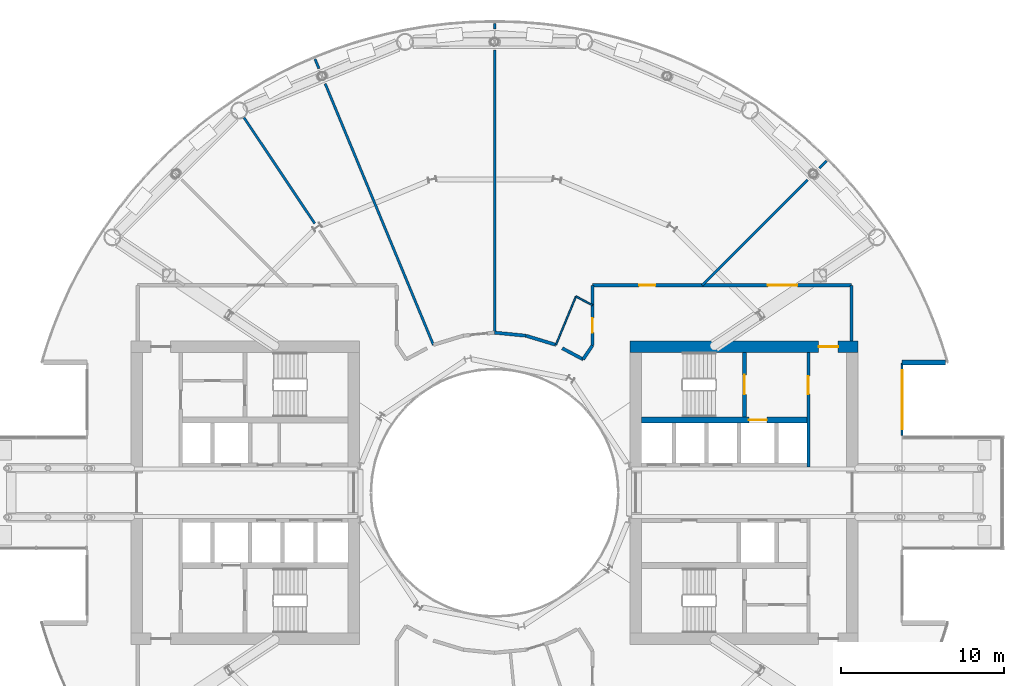
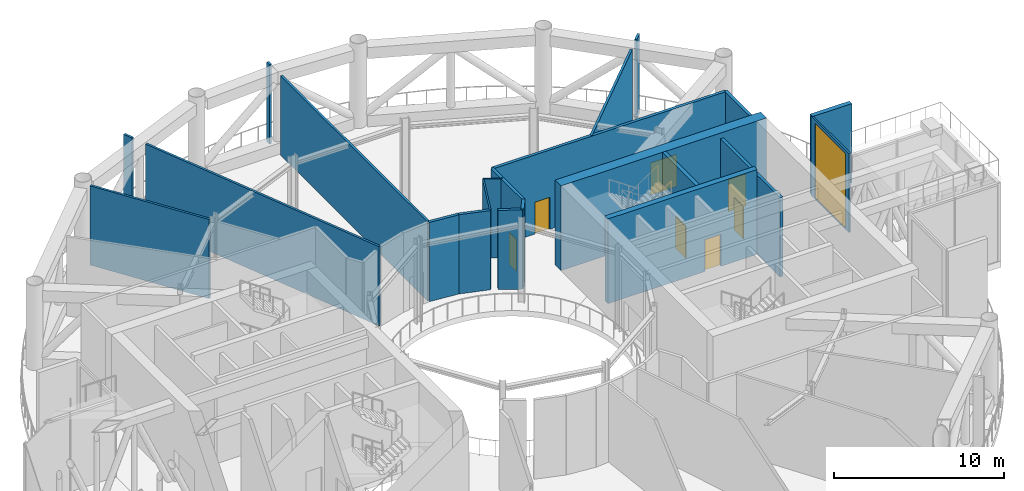
# One storey, part 14 of 23: 22 walls, 7 doors, 1 window, 8 openings.
"""IFC4 building model written with IfcOpenShell, lengths in metres."""

import ifcopenshell
import ifcopenshell.guid

model = None  # the IFC model being written
_history = None  # IfcOwnerHistory: only IFC2X3 demands one
_inside = {}  # id of a spatial element -> (the spatial element, [elements in it])
_under = {}  # id of a project, library or spatial element -> (it, [spatial elements below it])
_declared = {}  # id of a project -> (the project, [libraries it declares])
_typed = {}  # id of a type object -> (the type object, [elements of that type])
_made_of = {}  # id of a material, layer set ... -> (it, [elements and type objects made of it])


def new_model(schema):
    """Start an empty IFC model of exactly this schema.

    Asked for "IFC4X3", IfcOpenShell would pick the latest addendum, in which some entities
    have other attributes; the version numbers below select the first issue.
    IFC2X3 requires an IfcOwnerHistory on every rooted entity: one is made here for all.
    """
    global model, _history
    if schema == "IFC4X3":
        model = ifcopenshell.file(schema_version=(4, 3, 0, 0))
    else:
        model = ifcopenshell.file(schema=schema)
    _inside.clear()
    _under.clear()
    _declared.clear()
    _typed.clear()
    _made_of.clear()
    _history = None
    if model.schema == "IFC2X3":
        org = make("IfcOrganization", Name="unknown")
        user = make(
            "IfcPersonAndOrganization",
            ThePerson=make("IfcPerson", FamilyName="unknown"),
            TheOrganization=org,
        )
        app = make(
            "IfcApplication",
            ApplicationDeveloper=org,
            Version="unknown",
            ApplicationFullName="unknown",
            ApplicationIdentifier="unknown",
        )
        _history = make(
            "IfcOwnerHistory",
            OwningUser=user,
            OwningApplication=app,
            ChangeAction="ADDED",
            CreationDate=0,
        )
    return model


def make(cls, **values):
    """One entity of the class cls with the attributes given. An attribute that is None is left unset."""
    return model.create_entity(
        cls, **{name: value for name, value in values.items() if value is not None}
    )


def rooted(cls, **values):
    """An entity with a GlobalId (a new one), such as an element, a storey or a relation."""
    return make(cls, GlobalId=ifcopenshell.guid.new(), OwnerHistory=_history, **values)


def si_unit(unit_type, name, prefix=None):
    """IfcSIUnit, for example si_unit("LENGTHUNIT", "METRE", prefix="MILLI")."""
    return make("IfcSIUnit", UnitType=unit_type, Prefix=prefix, Name=name)


def assignment(units):
    """IfcUnitAssignment: the units of a project."""
    return None if units is None else make("IfcUnitAssignment", Units=units)


def point(xyz):
    """IfcCartesianPoint."""
    return None if xyz is None else make("IfcCartesianPoint", Coordinates=xyz)


def direction(xyz):
    """IfcDirection."""
    return None if xyz is None else make("IfcDirection", DirectionRatios=xyz)


def frame(location, z_axis=None, x_axis=None):
    """IfcAxis2Placement3D, a coordinate frame: its origin and axes. An axis left out is left unset."""
    return make(
        "IfcAxis2Placement3D",
        Location=point(location),
        Axis=direction(z_axis),
        RefDirection=direction(x_axis),
    )


def frame_2d(location, x_axis=None):
    """IfcAxis2Placement2D, a coordinate frame in the plane: its origin and x axis."""
    return make(
        "IfcAxis2Placement2D", Location=point(location), RefDirection=direction(x_axis)
    )


def origin():
    """The frame at (0, 0, 0) with its axes left unset."""
    return frame((0.0, 0.0, 0.0))


def place(relative_to, where):
    """IfcLocalPlacement: puts the frame where relative to a parent placement (None: the world)."""
    return make(
        "IfcLocalPlacement", PlacementRelTo=relative_to, RelativePlacement=where
    )


def context(
    kind, dimensions, precision=None, world=None, true_north=None, identifier=None
):
    """IfcGeometricRepresentationContext, for example the 3D "Model" context."""
    return make(
        "IfcGeometricRepresentationContext",
        ContextIdentifier=identifier,
        ContextType=kind,
        CoordinateSpaceDimension=dimensions,
        Precision=precision,
        WorldCoordinateSystem=world,
        TrueNorth=true_north,
    )


def subcontext(parent, identifier, kind, view, scale=None):
    """IfcGeometricRepresentationSubContext, for example "Body" below "Model"."""
    return make(
        "IfcGeometricRepresentationSubContext",
        ContextIdentifier=identifier,
        ContextType=kind,
        ParentContext=parent,
        TargetScale=scale,
        TargetView=view,
    )


def project(units=None, contexts=None):
    """IfcProject with its units and contexts."""
    return rooted(
        "IfcProject",
        Name="project",
        RepresentationContexts=contexts,
        UnitsInContext=assignment(units),
    )


def spatial(cls, under=None, at=None, **own):
    """A site, building, storey or space (cls), placed at a placement, below another one or the project."""
    s = rooted(cls, ObjectPlacement=at, **own)
    if under is not None:
        _under.setdefault(under.id(), (under, []))[1].append(s)
    return s


def profile(cls, at=None, kind="AREA", **sizes):
    """A parametric profile (cls). Its sizes go by their IFC names, for example OverallWidth=200.0."""
    return make(cls, ProfileType=kind, Position=at, **sizes)


def rectangle(**sizes):
    """IfcRectangleProfileDef."""
    return profile("IfcRectangleProfileDef", **sizes)


def extrude(swept, where, along, depth):
    """IfcExtrudedAreaSolid: the profile swept, set in the frame where, extruded along a direction by depth."""
    return make(
        "IfcExtrudedAreaSolid",
        SweptArea=swept,
        Position=where,
        ExtrudedDirection=direction(along),
        Depth=depth,
    )


def shape(context_of_items, identifier, shape_type, items):
    """IfcShapeRepresentation: the items that make up one representation, for example the "Body"."""
    return make(
        "IfcShapeRepresentation",
        ContextOfItems=context_of_items,
        RepresentationIdentifier=identifier,
        RepresentationType=shape_type,
        Items=items,
    )


def material(Name=None, Category=None):
    """IfcMaterial."""
    return make("IfcMaterial", Name=Name, Category=Category)


def layer(
    of_material, thickness, ventilated=None, Name=None, Category=None, Priority=None
):
    """IfcMaterialLayer: one layer of a wall or slab, of a material (None: an air gap)."""
    return make(
        "IfcMaterialLayer",
        Material=of_material,
        LayerThickness=thickness,
        IsVentilated=ventilated,
        Name=Name,
        Category=Category,
        Priority=Priority,
    )


def layer_set(layers, Name=None):
    """IfcMaterialLayerSet."""
    return make("IfcMaterialLayerSet", MaterialLayers=layers, LayerSetName=Name)


def made_of(thing, what):
    """Note that an element or type object is made of a material, layer set ...; save() writes the relation."""
    if what is not None:
        _made_of.setdefault(what.id(), (what, []))[1].append(thing)
    return thing


def type_object(cls, material=None, **own):
    """A type object (cls), such as IfcWallType, which elements share."""
    return made_of(rooted(cls, **own), material)


def element(
    cls,
    number,
    at=None,
    inside=None,
    cuts=None,
    type_object=None,
    material=None,
    context=None,
    identifier="Body",
    shape_type=None,
    held_by="IfcProductDefinitionShape",
    body=None,
    shapes=None,
    **own,
):
    """One element of the class cls, such as IfcWall. Its Tag is "e" and its number.

    at: its placement. inside: the storey or other place that contains it. cuts: it is an
    opening in that element (IfcRelVoidsElement). A single representation is given by context,
    identifier, shape_type and body (its items); several are given by shapes. held_by: the class
    of the entity that holds the representations. save() writes the other relations.
    """
    e = rooted(cls, Tag="e%d" % number, ObjectPlacement=at, **own)
    if body is not None:
        shapes = [shape(context, identifier, shape_type, body)]
    if shapes is not None:
        e.Representation = make(held_by, Representations=shapes)
    if inside is not None:
        _inside.setdefault(inside.id(), (inside, []))[1].append(e)
    if cuts is not None:
        rooted(
            "IfcRelVoidsElement", RelatingBuildingElement=cuts, RelatedOpeningElement=e
        )
    if type_object is not None:
        _typed.setdefault(type_object.id(), (type_object, []))[1].append(e)
    return made_of(e, material)


def fill(opening, filler):
    """IfcRelFillsElement: the door or window that sits in an opening."""
    return rooted(
        "IfcRelFillsElement",
        RelatingOpeningElement=opening,
        RelatedBuildingElement=filler,
    )


def aggregate(whole, parts):
    """IfcRelAggregates: a whole, such as a stair, and the parts it consists of."""
    return rooted("IfcRelAggregates", RelatingObject=whole, RelatedObjects=parts)


def save(model, path):
    """Write the relations noted so far, then the file.

    IfcRelAggregates (storeys below a building ...), IfcRelContainedInSpatialStructure (elements
    in a storey), IfcRelDefinesByType, IfcRelAssociatesMaterial and IfcRelDeclares: one each for
    every whole, place, type object, material and project.
    """
    for whole, parts in _under.values():
        aggregate(whole, parts)
    for where, things in _inside.values():
        rooted(
            "IfcRelContainedInSpatialStructure",
            RelatedElements=things,
            RelatingStructure=where,
        )
    for kind, things in _typed.values():
        rooted("IfcRelDefinesByType", RelatedObjects=things, RelatingType=kind)
    for what, things in _made_of.values():
        rooted("IfcRelAssociatesMaterial", RelatedObjects=things, RelatingMaterial=what)
    for by, libraries in _declared.values():
        rooted("IfcRelDeclares", RelatingContext=by, RelatedDefinitions=libraries)
    model.write(path)


model = new_model("IFC4")

# Units and contexts
model_context = context("Model", 3, precision=1e-05, world=origin(), true_north=direction((0.0, 1.0)))
body_context = subcontext(model_context, "Body", "Model", "MODEL_VIEW")
ifc_project = project(units=[si_unit("LENGTHUNIT", "METRE"), si_unit("AREAUNIT", "SQUARE_METRE"), si_unit("VOLUMEUNIT", "CUBIC_METRE"), si_unit("PLANEANGLEUNIT", "RADIAN"), si_unit("MASSUNIT", "GRAM", prefix="KILO")], contexts=[model_context])

# Site, building, storey
site_placement = place(None, origin())
site = spatial("IfcSite", under=ifc_project, at=site_placement, CompositionType="ELEMENT")
building_placement = place(site_placement, origin())
building = spatial("IfcBuilding", under=site, at=building_placement, Name="Maasbend Ring Residences", CompositionType="ELEMENT")
storey_placement = place(building_placement, frame((0.0, 0.0, 97.14990234375)))
storey = spatial("IfcBuildingStorey", under=building, at=storey_placement, Name="L28", CompositionType="ELEMENT", Elevation=97.14990234375)

# Wall, opening, door
ifc_material_1 = material(Name="Concrete C70/85", Category="concrete")
ifc_layer_1 = layer(ifc_material_1, 0.25)
ifc_layer_set_1 = layer_set([ifc_layer_1], Name="Concrete C70/85")
wall_type_1 = type_object("IfcWallType", Name="CORE WALL 250 C70/85", PredefinedType="SHEAR", material=ifc_layer_set_1)
wall_1_placement = place(storey_placement, frame((15.324951171875, 4.64990234375, 0.0), z_axis=(0.0, 0.0, 1.0), x_axis=(0.0, 1.0, 0.0)))
wall_1 = element("IfcWall", 1, at=wall_1_placement, inside=storey, type_object=wall_type_1, Name="L28 core E wall STEN", PredefinedType="SHEAR", context=body_context, shape_type="SweptSolid", body=[
    extrude(rectangle(XDim=3.9501953125, YDim=0.25, at=frame_2d((1.97509765625, 0.0))), origin(), (0.0, 0.0, 1.0), 6.10009765625),
])
opening_1_placement = place(wall_1_placement, frame((1.375, 0.0, 0.0)))
opening_1 = element("IfcOpeningElement", 2, at=opening_1_placement, cuts=wall_1, Name="Opening D-E2809", PredefinedType="OPENING", context=body_context, shape_type="SweptSolid", body=[
    extrude(rectangle(XDim=1.199951171875, YDim=2.300048828125, at=frame_2d((0.60009765625, 1.14990234375))), frame((0.0, 0.135009765625, 0.0), z_axis=(0.0, -1.0, 0.0), x_axis=(1.0, 0.0, 0.0)), (0.0, 0.0, 1.0), 0.27001953125),
])
ifc_material_2 = material(Name="Steel, powder coated", Category="steel")
door_type_1 = type_object("IfcDoorType", Name="STAIR DOOR 1200 X 2300 FD60", OperationType="NOTDEFINED", PredefinedType="DOOR", material=ifc_material_2)
door_1_placement = place(opening_1_placement, origin())
door_1 = element("IfcDoor", 3, at=door_1_placement, inside=storey, type_object=door_type_1, Name="Stair door ST-E L28", OperationType="SINGLE_SWING_LEFT", OverallHeight=2.300048828125, OverallWidth=1.199951171875, PredefinedType="DOOR", context=body_context, shape_type="SweptSolid", body=[
    extrude(rectangle(XDim=1.199951171875, YDim=2.300048828125, at=frame_2d((0.60009765625, 1.14990234375))), frame((0.0, 0.02490234375, 0.0), z_axis=(0.0, -1.0, 0.0), x_axis=(1.0, 0.0, 0.0)), (0.0, 0.0, 1.0), 0.050048828125),
])
fill(opening_1, door_1)

ifc_material_3 = material(Name="Concrete C70/85", Category="concrete")
ifc_layer_2 = layer(ifc_material_3, 0.375)
ifc_layer_set_2 = layer_set([ifc_layer_2], Name="Concrete C70/85")
wall_type_2 = type_object("IfcWallType", Name="CORE WALL 375 C70/85", PredefinedType="SHEAR", material=ifc_layer_set_2)
wall_2_placement = place(storey_placement, frame((9.0, 4.46240234375, 0.0), z_axis=(0.0, 0.0, 1.0), x_axis=(1.0, 0.0, 0.0)))
wall_2 = element("IfcWall", 4, at=wall_2_placement, inside=storey, type_object=wall_type_2, Name="L28 core E wall BN", PredefinedType="SHEAR", context=body_context, shape_type="SweptSolid", body=[
    extrude(rectangle(XDim=10.14990234375, YDim=0.375, at=frame_2d((5.074951171875, 0.0))), origin(), (0.0, 0.0, 1.0), 6.10009765625),
])
opening_2_placement = place(wall_2_placement, frame((6.60009765625, 0.0, 0.0)))
opening_2 = element("IfcOpeningElement", 5, at=opening_2_placement, cuts=wall_2, Name="Opening LD-E2804", PredefinedType="OPENING", context=body_context, shape_type="SweptSolid", body=[
    extrude(rectangle(XDim=1.10009765625, YDim=2.300048828125, at=frame_2d((0.550048828125, 1.14990234375))), frame((0.0, 0.197509765625, 0.0), z_axis=(0.0, -1.0, 0.0), x_axis=(1.0, 0.0, 0.0)), (0.0, 0.0, 1.0), 0.39501953125),
])
ifc_material_4 = material(Name="Stainless steel 316", Category="steel")
door_type_2 = type_object("IfcDoorType", Name="LANDING DOOR 1100 X 2300 FD60", OperationType="DOUBLE_DOOR_SLIDING", PredefinedType="DOOR", material=ifc_material_4)
door_2_placement = place(opening_2_placement, origin())
door_2 = element("IfcDoor", 6, at=door_2_placement, inside=storey, type_object=door_type_2, Name="Landing door FF-E L28", OperationType="DOUBLE_DOOR_SLIDING", OverallHeight=2.300048828125, OverallWidth=1.10009765625, PredefinedType="DOOR", context=body_context, shape_type="SweptSolid", body=[
    extrude(rectangle(XDim=1.10009765625, YDim=2.300048828125, at=frame_2d((0.550048828125, 1.14990234375))), frame((0.0, 0.02490234375, 0.0), z_axis=(0.0, -1.0, 0.0), x_axis=(1.0, 0.0, 0.0)), (0.0, 0.0, 1.0), 0.050048828125),
])
fill(opening_2, door_2)

ifc_material_5 = material(Name="Concrete C70/85", Category="concrete")
ifc_layer_3 = layer(ifc_material_5, 0.699951171875)
ifc_layer_set_3 = layer_set([ifc_layer_3], Name="Concrete C70/85")
wall_type_3 = type_object("IfcWallType", Name="CORE WALL 700 C70/85", PredefinedType="SHEAR", material=ifc_layer_set_3)
wall_3_placement = place(storey_placement, frame((22.300048828125, 8.949951171875, 0.0), z_axis=(0.0, 0.0, 1.0), x_axis=(-1.0, 0.0, 0.0)))
wall_3 = element("IfcWall", 7, at=wall_3_placement, inside=storey, type_object=wall_type_3, Name="L28 core E wall PN", PredefinedType="SHEAR", context=body_context, shape_type="SweptSolid", body=[
    extrude(rectangle(XDim=14.0, YDim=0.699951171875, at=frame_2d((7.0, 0.0))), origin(), (0.0, 0.0, 1.0), 6.10009765625),
])
opening_3_placement = place(wall_3_placement, frame((1.22509765625, 0.0, 0.0)))
opening_3 = element("IfcOpeningElement", 8, at=opening_3_placement, cuts=wall_3, Name="Opening D-E2813", PredefinedType="OPENING", context=body_context, shape_type="SweptSolid", body=[
    extrude(rectangle(XDim=1.199951171875, YDim=2.300048828125, at=frame_2d((0.60009765625, 1.14990234375))), frame((0.0, 0.35986328125, 0.0), z_axis=(0.0, -1.0, 0.0), x_axis=(1.0, 0.0, 0.0)), (0.0, 0.0, 1.0), 0.719970703125),
])
ifc_material_6 = material(Name="Steel, powder coated", Category="steel")
door_type_3 = type_object("IfcDoorType", Name="CORRIDOR DOOR 1200 X 2300 FD30S", OperationType="NOTDEFINED", PredefinedType="DOOR", material=ifc_material_6)
door_3_placement = place(opening_3_placement, origin())
door_3 = element("IfcDoor", 9, at=door_3_placement, inside=storey, type_object=door_type_3, Name="Corridor door L28", OperationType="SINGLE_SWING_RIGHT", OverallHeight=2.300048828125, OverallWidth=1.199951171875, PredefinedType="DOOR", context=body_context, shape_type="SweptSolid", body=[
    extrude(rectangle(XDim=1.199951171875, YDim=2.300048828125, at=frame_2d((0.60009765625, 1.14990234375))), frame((0.0, 0.02490234375, 0.0), z_axis=(0.0, -1.0, 0.0), x_axis=(1.0, 0.0, 0.0)), (0.0, 0.0, 1.0), 0.050048828125),
])
fill(opening_3, door_3)

# Wall
ifc_material_7 = material(Name="Concrete C30/37", Category="concrete")
ifc_layer_4 = layer(ifc_material_7, 0.199951171875)
ifc_layer_set_4 = layer_set([ifc_layer_4], Name="Concrete C30/37")
wall_type_4 = type_object("IfcWallType", Name="CORRIDOR WALL 200 CONCRETE", PredefinedType="PARTITIONING", material=ifc_layer_set_4)
wall_4_placement = place(storey_placement, frame((21.89990234375, 9.320068359375, 0.0), z_axis=(0.0, 0.0, 1.0), x_axis=(0.0, 1.0, 0.0)))
element("IfcWall", 10, at=wall_4_placement, inside=storey, type_object=wall_type_4, Name="U-L28-w002", PredefinedType="PARTITIONING", context=body_context, shape_type="SweptSolid", body=[
    extrude(rectangle(XDim=3.39990234375, YDim=0.199951171875, at=frame_2d((1.699951171875, 0.0))), origin(), (0.0, 0.0, 1.0), 5.7001953125),
])

# Wall, opening, door
wall_5_placement = place(storey_placement, frame((6.0, 9.033935546875, 0.0), z_axis=(0.0, 0.0, 1.0), x_axis=(0.0, 1.0, 0.0)))
wall_5 = element("IfcWall", 11, at=wall_5_placement, inside=storey, type_object=wall_type_4, Name="U-L28-w012", PredefinedType="PARTITIONING", context=body_context, shape_type="SweptSolid", body=[
    extrude(rectangle(XDim=3.68603515625, YDim=0.199951171875, at=frame_2d((1.843017578125, 0.0))), origin(), (0.0, 0.0, 1.0), 5.7001953125),
])
opening_4_placement = place(wall_5_placement, frame((0.783935546875, 0.0, 0.0)))
opening_4 = element("IfcOpeningElement", 12, at=opening_4_placement, cuts=wall_5, Name="Opening D-2801", PredefinedType="OPENING", context=body_context, shape_type="SweptSolid", body=[
    extrude(rectangle(XDim=0.89990234375, YDim=2.300048828125, at=frame_2d((0.449951171875, 1.14990234375))), frame((0.0, 0.10986328125, 0.0), z_axis=(0.0, -1.0, 0.0), x_axis=(1.0, 0.0, 0.0)), (0.0, 0.0, 1.0), 0.219970703125),
])
ifc_material_8 = material(Name="Timber, painted", Category="wood")
door_type_4 = type_object("IfcDoorType", Name="INTERNAL DOOR 900 X 2300", OperationType="NOTDEFINED", PredefinedType="DOOR", material=ifc_material_8)
door_4_placement = place(opening_4_placement, origin())
door_4 = element("IfcDoor", 13, at=door_4_placement, inside=storey, type_object=door_type_4, Name="D-2801", OperationType="SINGLE_SWING_LEFT", OverallHeight=2.300048828125, OverallWidth=0.89990234375, PredefinedType="DOOR", context=body_context, shape_type="SweptSolid", body=[
    extrude(rectangle(XDim=0.89990234375, YDim=2.300048828125, at=frame_2d((0.449951171875, 1.14990234375))), frame((0.0, 0.02490234375, 0.0), z_axis=(0.0, -1.0, 0.0), x_axis=(1.0, 0.0, 0.0)), (0.0, 0.0, 1.0), 0.050048828125),
])
fill(opening_4, door_4)

# Walls
wall_6_placement = place(storey_placement, frame((5.428955078125, 8.178955078125, 0.0), z_axis=(0.0, 0.0, 1.0), x_axis=(0.555412364489, 0.831575075007, 0.0)))
element("IfcWall", 14, at=wall_6_placement, inside=storey, type_object=wall_type_4, Name="U-L28-w034", PredefinedType="PARTITIONING", context=body_context, shape_type="SweptSolid", body=[
    extrude(rectangle(XDim=1.028076171875, YDim=0.199951171875, at=frame_2d((0.51416015625, 0.0))), origin(), (0.0, 0.0, 1.0), 5.7001953125),
])
wall_7_placement = place(storey_placement, frame((0.0, 9.820068359375, 0.0), z_axis=(0.0, 0.0, 1.0), x_axis=(0.995171860647, -0.098147683504, 0.0)))
element("IfcWall", 15, at=wall_7_placement, inside=storey, type_object=wall_type_4, Name="U-L28-w040", PredefinedType="PARTITIONING", context=body_context, shape_type="SweptSolid", body=[
    extrude(rectangle(XDim=1.92529296875, YDim=0.199951171875, at=frame_2d((0.962646484375, 0.0))), origin(), (0.0, 0.0, 1.0), 5.7001953125),
])
wall_8_placement = place(storey_placement, frame((1.916015625, 9.631103515625, 0.0), z_axis=(0.0, 0.0, 1.0), x_axis=(0.956896312675, -0.29042976223, 0.0)))
element("IfcWall", 16, at=wall_8_placement, inside=storey, type_object=wall_type_4, Name="U-L28-w041", PredefinedType="PARTITIONING", context=body_context, shape_type="SweptSolid", body=[
    extrude(rectangle(XDim=1.925048828125, YDim=0.199951171875, at=frame_2d((0.96240234375, 0.0))), origin(), (0.0, 0.0, 1.0), 5.7001953125),
])
wall_9_placement = place(storey_placement, frame((4.15087890625, 8.863037109375, 0.0), z_axis=(0.0, 0.0, 1.0), x_axis=(0.881652665802, -0.471898905364, 0.0)))
element("IfcWall", 17, at=wall_9_placement, inside=storey, type_object=wall_type_4, Name="U-L28-w042", PredefinedType="PARTITIONING", context=body_context, shape_type="SweptSolid", body=[
    extrude(rectangle(XDim=1.44970703125, YDim=0.199951171875, at=frame_2d((0.724853515625, 0.0))), origin(), (0.0, 0.0, 1.0), 5.7001953125),
])

# Wall, openings, doors
wall_10_placement = place(storey_placement, frame((6.0, 12.719970703125, 0.0), z_axis=(0.0, 0.0, 1.0), x_axis=(1.0, 0.0, 0.0)))
wall_10 = element("IfcWall", 18, at=wall_10_placement, inside=storey, type_object=wall_type_4, Name="U-L28-w044", PredefinedType="PARTITIONING", context=body_context, shape_type="SweptSolid", body=[
    extrude(rectangle(XDim=15.89990234375, YDim=0.199951171875, at=frame_2d((7.949951171875, 0.0))), origin(), (0.0, 0.0, 1.0), 5.7001953125),
])
opening_5_placement = place(wall_10_placement, frame((2.860107421875, 0.0, 0.0)))
opening_5 = element("IfcOpeningElement", 19, at=opening_5_placement, cuts=wall_10, Name="Opening D-2802", PredefinedType="OPENING", context=body_context, shape_type="SweptSolid", body=[
    extrude(rectangle(XDim=1.0, YDim=2.300048828125, at=frame_2d((0.5, 1.14990234375))), frame((0.0, 0.10986328125, 0.0), z_axis=(0.0, -1.0, 0.0), x_axis=(1.0, 0.0, 0.0)), (0.0, 0.0, 1.0), 0.219970703125),
])
opening_6_placement = place(wall_10_placement, frame((10.77001953125, 0.0, 0.0)))
opening_6 = element("IfcOpeningElement", 20, at=opening_6_placement, cuts=wall_10, Name="Opening D-2810", PredefinedType="OPENING", context=body_context, shape_type="SweptSolid", body=[
    extrude(rectangle(XDim=1.800048828125, YDim=2.300048828125, at=frame_2d((0.89990234375, 1.14990234375))), frame((0.0, 0.10986328125, 0.0), z_axis=(0.0, -1.0, 0.0), x_axis=(1.0, 0.0, 0.0)), (0.0, 0.0, 1.0), 0.219970703125),
])
ifc_material_9 = material(Name="Timber, painted", Category="wood")
door_type_5 = type_object("IfcDoorType", Name="DOUBLE DOOR 1800 X 2300", OperationType="NOTDEFINED", PredefinedType="DOOR", material=ifc_material_9)
door_5_placement = place(opening_6_placement, origin())
door_5 = element("IfcDoor", 21, at=door_5_placement, inside=storey, type_object=door_type_5, Name="D-2810", OperationType="DOUBLE_DOOR_SINGLE_SWING", OverallHeight=2.300048828125, OverallWidth=1.800048828125, PredefinedType="DOOR", context=body_context, shape_type="SweptSolid", body=[
    extrude(rectangle(XDim=1.800048828125, YDim=2.300048828125, at=frame_2d((0.89990234375, 1.14990234375))), frame((0.0, 0.02490234375, 0.0), z_axis=(0.0, -1.0, 0.0), x_axis=(1.0, 0.0, 0.0)), (0.0, 0.0, 1.0), 0.050048828125),
])
fill(opening_6, door_5)
ifc_material_10 = material(Name="Timber, painted", Category="wood")
door_type_6 = type_object("IfcDoorType", Name="ROOM DOOR 1000 X 2300", OperationType="NOTDEFINED", PredefinedType="DOOR", material=ifc_material_10)
door_6_placement = place(opening_5_placement, origin())
door_6 = element("IfcDoor", 22, at=door_6_placement, inside=storey, type_object=door_type_6, Name="D-2802", OperationType="SINGLE_SWING_LEFT", OverallHeight=2.300048828125, OverallWidth=1.0, PredefinedType="DOOR", context=body_context, shape_type="SweptSolid", body=[
    extrude(rectangle(XDim=1.0, YDim=2.300048828125, at=frame_2d((0.5, 1.14990234375))), frame((0.0, 0.02490234375, 0.0), z_axis=(0.0, -1.0, 0.0), x_axis=(1.0, 0.0, 0.0)), (0.0, 0.0, 1.0), 0.050048828125),
])
fill(opening_5, door_6)

# Wall
ifc_material_11 = material(Name="Aluminium clad insulated panel", Category="aluminium")
ifc_layer_5 = layer(ifc_material_11, 0.300048828125)
ifc_layer_set_5 = layer_set([ifc_layer_5], Name="EW-RET")
wall_type_5 = type_object("IfcWallType", Name="EW-RET", PredefinedType="SOLIDWALL", material=ifc_layer_set_5)
wall_11_placement = place(storey_placement, frame((25.0, 8.0, 0.0), z_axis=(0.0, 0.0, 1.0), x_axis=(1.0, 0.0, 0.0)))
element("IfcWall", 23, at=wall_11_placement, inside=storey, type_object=wall_type_5, Name="Notch return wall east north", PredefinedType="SOLIDWALL", context=body_context, shape_type="SweptSolid", body=[
    extrude(rectangle(XDim=2.6669921875, YDim=0.300048828125, at=frame_2d((1.33349609375, 0.0))), origin(), (0.0, 0.0, 1.0), 5.7001953125),
])

# Wall, opening, window
ifc_material_12 = material(Name="Aluminium frame and clear glass", Category="aluminium")
ifc_layer_6 = layer(ifc_material_12, 0.1201171875)
ifc_layer_set_6 = layer_set([ifc_layer_6], Name="GLAZED SCREEN WALL 120 EI 60")
wall_type_6 = type_object("IfcWallType", Name="GLAZED SCREEN WALL 120 EI 60", PredefinedType="PARTITIONING", material=ifc_layer_set_6)
wall_12_placement = place(storey_placement, frame((25.0, 3.5, 0.0), z_axis=(0.0, 0.0, 1.0), x_axis=(0.0, 1.0, 0.0)))
wall_12 = element("IfcWall", 24, at=wall_12_placement, inside=storey, type_object=wall_type_6, Name="L28 core E wall FACEB", PredefinedType="PARTITIONING", context=body_context, shape_type="SweptSolid", body=[
    extrude(rectangle(XDim=4.449951171875, YDim=0.1201171875, at=frame_2d((2.22509765625, 0.0))), origin(), (0.0, 0.0, 1.0), 5.7001953125),
])
opening_7_placement = place(wall_12_placement, frame((0.39990234375, 0.0, 0.10009765625)))
opening_7 = element("IfcOpeningElement", 25, at=opening_7_placement, cuts=wall_12, Name="Opening W-E2803", PredefinedType="OPENING", context=body_context, shape_type="SweptSolid", body=[
    extrude(rectangle(XDim=3.60009765625, YDim=5.35009765625, at=frame_2d((1.800048828125, 2.675048828125))), frame((0.0, 0.070068359375, 0.0), z_axis=(0.0, -1.0, 0.0), x_axis=(1.0, 0.0, 0.0)), (0.0, 0.0, 1.0), 0.14013671875),
])
ifc_material_13 = material(Name="Aluminium frame and clear glass", Category="aluminium")
window_type = type_object("IfcWindowType", Name="FIXED WINDOW 3600 X 5350", PartitioningType="SINGLE_PANEL", PredefinedType="WINDOW", material=ifc_material_13)
window_placement = place(opening_7_placement, origin())
window = element("IfcWindow", 26, at=window_placement, inside=storey, type_object=window_type, Name="Lobby window L28", OverallHeight=5.35009765625, OverallWidth=3.60009765625, PartitioningType="SINGLE_PANEL", PredefinedType="WINDOW", context=body_context, shape_type="SweptSolid", body=[
    extrude(rectangle(XDim=3.60009765625, YDim=5.35009765625, at=frame_2d((1.800048828125, 2.675048828125))), frame((0.0, 0.030029296875, 0.0), z_axis=(0.0, -1.0, 0.0), x_axis=(1.0, 0.0, 0.0)), (0.0, 0.0, 1.0), 0.06005859375),
])
fill(opening_7, window)

# Walls
ifc_material_14 = material(Name="Gypsum board on steel studs", Category="steel")
ifc_layer_7 = layer(ifc_material_14, 0.10009765625)
ifc_layer_set_7 = layer_set([ifc_layer_7], Name="PARTITION 100 GYPSUM")
wall_type_7 = type_object("IfcWallType", Name="PARTITION 100 GYPSUM", PredefinedType="PARTITIONING", material=ifc_layer_set_7)
wall_13_placement = place(storey_placement, frame((3.758056640625, 9.072021484375, 0.0), z_axis=(0.0, 0.0, 1.0), x_axis=(0.382517205945, 0.923948368231, 0.0)))
element("IfcWall", 27, at=wall_13_placement, inside=storey, type_object=wall_type_7, Name="U-L28-w027", PredefinedType="PARTITIONING", context=body_context, shape_type="SweptSolid", body=[
    extrude(rectangle(XDim=3.215576171875, YDim=0.10009765625, at=frame_2d((1.60791015625, 0.0))), origin(), (0.0, 0.0, 1.0), 5.7001953125),
])
wall_14_placement = place(storey_placement, frame((4.988037109375, 12.04296875, 0.0), z_axis=(0.0, 0.0, 1.0), x_axis=(0.882235076446, -0.470809165042, 0.0)))
element("IfcWall", 28, at=wall_14_placement, inside=storey, type_object=wall_type_7, Name="U-L28-w045", PredefinedType="PARTITIONING", context=body_context, shape_type="SweptSolid", body=[
    extrude(rectangle(XDim=1.14697265625, YDim=0.10009765625, at=frame_2d((0.573486328125, 0.0))), origin(), (0.0, 0.0, 1.0), 5.7001953125),
])
ifc_material_15 = material(Name="Gypsum board on steel studs", Category="steel")
ifc_layer_8 = layer(ifc_material_15, 0.14990234375)
ifc_layer_set_8 = layer_set([ifc_layer_8], Name="PARTITION 150 GYPSUM")
wall_type_8 = type_object("IfcWallType", Name="PARTITION 150 GYPSUM", PredefinedType="PARTITIONING", material=ifc_layer_set_8)
wall_15_placement = place(storey_placement, frame((-15.389892578125, 23.032958984375, 0.0), z_axis=(0.0, 0.0, 1.0), x_axis=(0.555547985169, -0.83148447741, 0.0)))
element("IfcWall", 29, at=wall_15_placement, inside=storey, type_object=wall_type_8, Name="U-L28-w019", PredefinedType="PARTITIONING", context=body_context, shape_type="SweptSolid", body=[
    extrude(rectangle(XDim=7.839111328125, YDim=0.14990234375, at=frame_2d((3.91943359375, 0.0))), origin(), (0.0, 0.0, 1.0), 5.7001953125),
])
wall_16_placement = place(storey_placement, frame((-11.02099609375, 26.60791015625, 0.0), z_axis=(0.0, 0.0, 1.0), x_axis=(0.38199330966, -0.92416508881, 0.0)))
element("IfcWall", 30, at=wall_16_placement, inside=storey, type_object=wall_type_8, Name="U-L28-w020", PredefinedType="PARTITIONING", context=body_context, shape_type="SweptSolid", body=[
    extrude(rectangle(XDim=0.6416015625, YDim=0.14990234375, at=frame_2d((0.32080078125, 0.0))), origin(), (0.0, 0.0, 1.0), 5.7001953125),
])
wall_17_placement = place(storey_placement, frame((-10.39306640625, 25.091064453125, 0.0), z_axis=(0.0, 0.0, 1.0), x_axis=(0.382668905709, -0.923885549516, 0.0)))
element("IfcWall", 31, at=wall_17_placement, inside=storey, type_object=wall_type_8, Name="U-L28-w022", PredefinedType="PARTITIONING", context=body_context, shape_type="SweptSolid", body=[
    extrude(rectangle(XDim=17.3388671875, YDim=0.14990234375, at=frame_2d((8.66943359375, 0.0))), origin(), (0.0, 0.0, 1.0), 5.7001953125),
])
wall_18_placement = place(storey_placement, frame((0.0, 9.820068359375, 0.0), z_axis=(0.0, 0.0, 1.0), x_axis=(0.0, 1.0, 0.0)))
element("IfcWall", 32, at=wall_18_placement, inside=storey, type_object=wall_type_8, Name="U-L28-w023", PredefinedType="PARTITIONING", context=body_context, shape_type="SweptSolid", body=[
    extrude(rectangle(XDim=17.337890625, YDim=0.14990234375, at=frame_2d((8.6689453125, 0.0))), origin(), (0.0, 0.0, 1.0), 5.7001953125),
])
wall_19_placement = place(storey_placement, frame((0.0, 28.4541015625, 0.0), z_axis=(0.0, 0.0, 1.0), x_axis=(0.0, 1.0, 0.0)))
element("IfcWall", 33, at=wall_19_placement, inside=storey, type_object=wall_type_8, Name="U-L28-w024", PredefinedType="PARTITIONING", context=body_context, shape_type="SweptSolid", body=[
    extrude(rectangle(XDim=0.345947265625, YDim=0.14990234375, at=frame_2d((0.1728515625, 0.0))), origin(), (0.0, 0.0, 1.0), 5.7001953125),
])
wall_20_placement = place(storey_placement, frame((12.719970703125, 12.719970703125, 0.0), z_axis=(0.0, 0.0, 1.0), x_axis=(0.707106781187, 0.707106781187, 0.0)))
element("IfcWall", 34, at=wall_20_placement, inside=storey, type_object=wall_type_8, Name="U-L28-w030", PredefinedType="PARTITIONING", context=body_context, shape_type="SweptSolid", body=[
    extrude(rectangle(XDim=9.169921875, YDim=0.14990234375, at=frame_2d((4.5849609375, 0.0))), origin(), (0.0, 0.0, 1.0), 5.7001953125),
])
wall_21_placement = place(storey_placement, frame((19.910888671875, 19.910888671875, 0.0), z_axis=(0.0, 0.0, 1.0), x_axis=(0.707106781187, 0.707106781187, 0.0)))
element("IfcWall", 35, at=wall_21_placement, inside=storey, type_object=wall_type_8, Name="U-L28-w032", PredefinedType="PARTITIONING", context=body_context, shape_type="SweptSolid", body=[
    extrude(rectangle(XDim=0.64208984375, YDim=0.14990234375, at=frame_2d((0.321044921875, 0.0))), origin(), (0.0, 0.0, 1.0), 5.7001953125),
])

# Wall, opening, door
ifc_material_16 = material(Name="Concrete C30/37", Category="concrete")
ifc_layer_9 = layer(ifc_material_16, 0.199951171875)
ifc_layer_set_9 = layer_set([ifc_layer_9], Name="Concrete C30/37")
wall_type_9 = type_object("IfcWallType", Name="SHAFT WALL 200 EI 120", PredefinedType="SOLIDWALL", material=ifc_layer_set_9)
wall_22_placement = place(storey_placement, frame((19.25, 1.574951171875, 0.0), z_axis=(0.0, 0.0, 1.0), x_axis=(0.0, 1.0, 0.0)))
wall_22 = element("IfcWall", 36, at=wall_22_placement, inside=storey, type_object=wall_type_9, Name="L28 core E wall ENDN", PredefinedType="SOLIDWALL", context=body_context, shape_type="SweptSolid", body=[
    extrude(rectangle(XDim=7.025146484375, YDim=0.199951171875, at=frame_2d((3.5126953125, 0.0))), origin(), (0.0, 0.0, 1.0), 5.7001953125),
])
opening_8_placement = place(wall_22_placement, frame((4.47509765625, 0.0, 0.0)))
opening_8 = element("IfcOpeningElement", 37, at=opening_8_placement, cuts=wall_22, Name="Opening D-E2811", PredefinedType="OPENING", context=body_context, shape_type="SweptSolid", body=[
    extrude(rectangle(XDim=1.10009765625, YDim=2.300048828125, at=frame_2d((0.550048828125, 1.14990234375))), frame((0.0, 0.10986328125, 0.0), z_axis=(0.0, -1.0, 0.0), x_axis=(1.0, 0.0, 0.0)), (0.0, 0.0, 1.0), 0.219970703125),
])
ifc_material_17 = material(Name="Steel, powder coated", Category="steel")
door_type_7 = type_object("IfcDoorType", Name="LOBBY DOOR 1100 X 2300 FD60", OperationType="NOTDEFINED", PredefinedType="DOOR", material=ifc_material_17)
door_7_placement = place(opening_8_placement, origin())
door_7 = element("IfcDoor", 38, at=door_7_placement, inside=storey, type_object=door_type_7, Name="Lobby door L28", OperationType="SINGLE_SWING_LEFT", OverallHeight=2.300048828125, OverallWidth=1.10009765625, PredefinedType="DOOR", context=body_context, shape_type="SweptSolid", body=[
    extrude(rectangle(XDim=1.10009765625, YDim=2.300048828125, at=frame_2d((0.550048828125, 1.14990234375))), frame((0.0, 0.02490234375, 0.0), z_axis=(0.0, -1.0, 0.0), x_axis=(1.0, 0.0, 0.0)), (0.0, 0.0, 1.0), 0.050048828125),
])
fill(opening_8, door_7)

save(model, "model.ifc")
